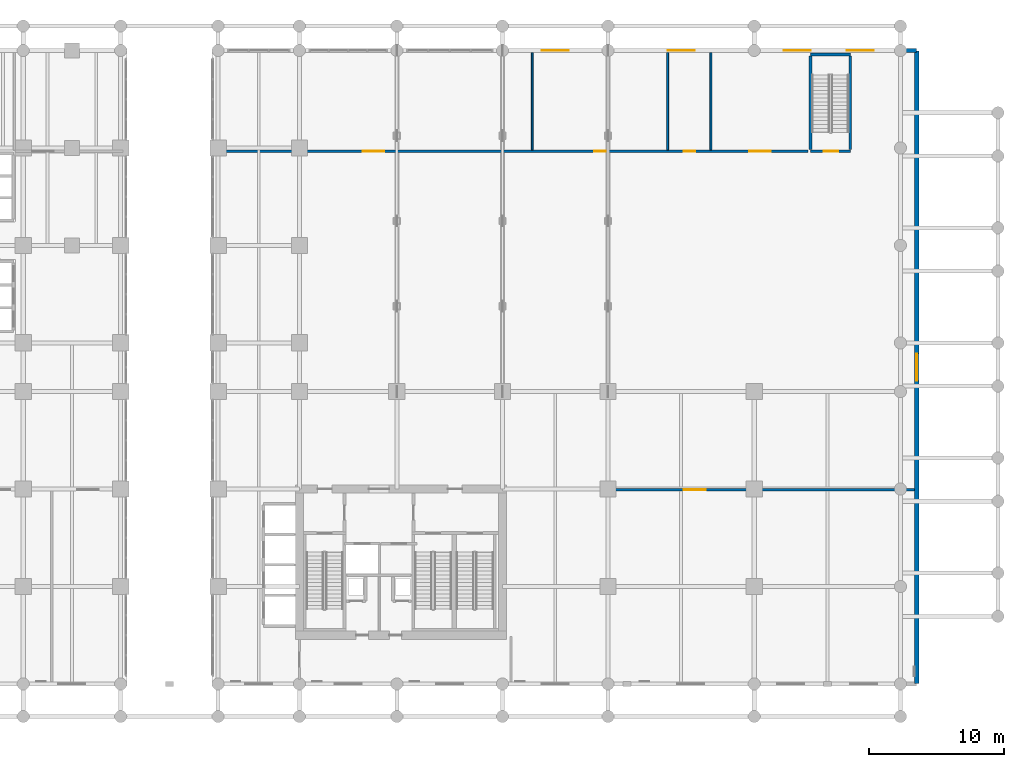
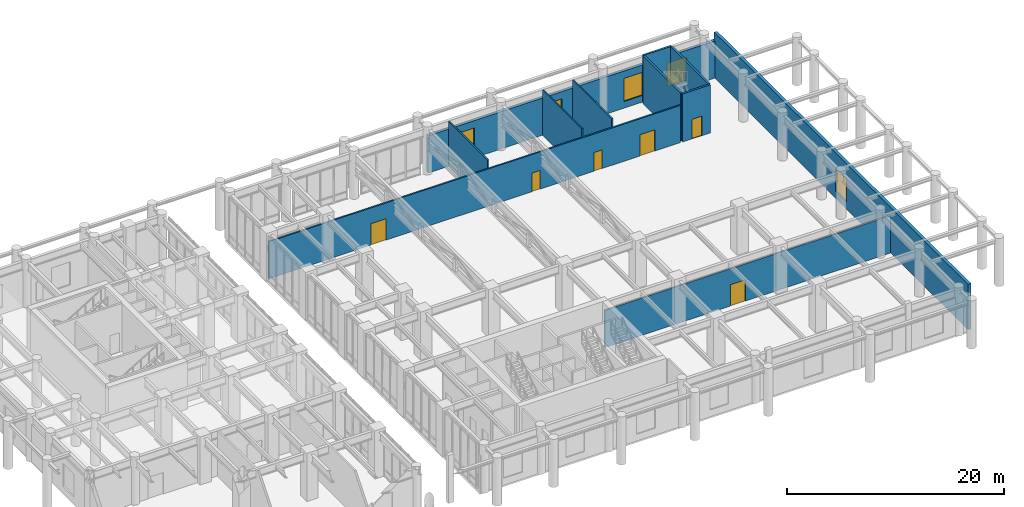
# One storey, part 19 of 24: 11 walls, 6 doors, 5 windows, 11 openings.
"""IFC4 building model written with IfcOpenShell, lengths in metres."""

import ifcopenshell
import ifcopenshell.guid

model = None  # the IFC model being written
_history = None  # IfcOwnerHistory: only IFC2X3 demands one
_inside = {}  # id of a spatial element -> (the spatial element, [elements in it])
_under = {}  # id of a project, library or spatial element -> (it, [spatial elements below it])
_declared = {}  # id of a project -> (the project, [libraries it declares])
_typed = {}  # id of a type object -> (the type object, [elements of that type])
_made_of = {}  # id of a material, layer set ... -> (it, [elements and type objects made of it])


def new_model(schema):
    """Start an empty IFC model of exactly this schema.

    Asked for "IFC4X3", IfcOpenShell would pick the latest addendum, in which some entities
    have other attributes; the version numbers below select the first issue.
    IFC2X3 requires an IfcOwnerHistory on every rooted entity: one is made here for all.
    """
    global model, _history
    if schema == "IFC4X3":
        model = ifcopenshell.file(schema_version=(4, 3, 0, 0))
    else:
        model = ifcopenshell.file(schema=schema)
    _inside.clear()
    _under.clear()
    _declared.clear()
    _typed.clear()
    _made_of.clear()
    _history = None
    if model.schema == "IFC2X3":
        org = make("IfcOrganization", Name="unknown")
        user = make(
            "IfcPersonAndOrganization",
            ThePerson=make("IfcPerson", FamilyName="unknown"),
            TheOrganization=org,
        )
        app = make(
            "IfcApplication",
            ApplicationDeveloper=org,
            Version="unknown",
            ApplicationFullName="unknown",
            ApplicationIdentifier="unknown",
        )
        _history = make(
            "IfcOwnerHistory",
            OwningUser=user,
            OwningApplication=app,
            ChangeAction="ADDED",
            CreationDate=0,
        )
    return model


def make(cls, **values):
    """One entity of the class cls with the attributes given. An attribute that is None is left unset."""
    return model.create_entity(
        cls, **{name: value for name, value in values.items() if value is not None}
    )


def rooted(cls, **values):
    """An entity with a GlobalId (a new one), such as an element, a storey or a relation."""
    return make(cls, GlobalId=ifcopenshell.guid.new(), OwnerHistory=_history, **values)


def si_unit(unit_type, name, prefix=None):
    """IfcSIUnit, for example si_unit("LENGTHUNIT", "METRE", prefix="MILLI")."""
    return make("IfcSIUnit", UnitType=unit_type, Prefix=prefix, Name=name)


def derived_unit(unit_type, elements):
    """IfcDerivedUnit: a product of units, each with its exponent."""
    return make(
        "IfcDerivedUnit",
        Elements=[
            make("IfcDerivedUnitElement", Unit=unit, Exponent=power)
            for unit, power in elements
        ],
        UnitType=unit_type,
    )


def assignment(units):
    """IfcUnitAssignment: the units of a project."""
    return None if units is None else make("IfcUnitAssignment", Units=units)


def point(xyz):
    """IfcCartesianPoint."""
    return None if xyz is None else make("IfcCartesianPoint", Coordinates=xyz)


def direction(xyz):
    """IfcDirection."""
    return None if xyz is None else make("IfcDirection", DirectionRatios=xyz)


def frame(location, z_axis=None, x_axis=None):
    """IfcAxis2Placement3D, a coordinate frame: its origin and axes. An axis left out is left unset."""
    return make(
        "IfcAxis2Placement3D",
        Location=point(location),
        Axis=direction(z_axis),
        RefDirection=direction(x_axis),
    )


def frame_2d(location, x_axis=None):
    """IfcAxis2Placement2D, a coordinate frame in the plane: its origin and x axis."""
    return make(
        "IfcAxis2Placement2D", Location=point(location), RefDirection=direction(x_axis)
    )


def origin():
    """The frame at (0, 0, 0) with its axes left unset."""
    return frame((0.0, 0.0, 0.0))


def place(relative_to, where):
    """IfcLocalPlacement: puts the frame where relative to a parent placement (None: the world)."""
    return make(
        "IfcLocalPlacement", PlacementRelTo=relative_to, RelativePlacement=where
    )


def context(
    kind, dimensions, precision=None, world=None, true_north=None, identifier=None
):
    """IfcGeometricRepresentationContext, for example the 3D "Model" context."""
    return make(
        "IfcGeometricRepresentationContext",
        ContextIdentifier=identifier,
        ContextType=kind,
        CoordinateSpaceDimension=dimensions,
        Precision=precision,
        WorldCoordinateSystem=world,
        TrueNorth=true_north,
    )


def subcontext(parent, identifier, kind, view, scale=None):
    """IfcGeometricRepresentationSubContext, for example "Body" below "Model"."""
    return make(
        "IfcGeometricRepresentationSubContext",
        ContextIdentifier=identifier,
        ContextType=kind,
        ParentContext=parent,
        TargetScale=scale,
        TargetView=view,
    )


def project(units=None, contexts=None):
    """IfcProject with its units and contexts."""
    return rooted(
        "IfcProject",
        Name="project",
        RepresentationContexts=contexts,
        UnitsInContext=assignment(units),
    )


def spatial(cls, under=None, at=None, **own):
    """A site, building, storey or space (cls), placed at a placement, below another one or the project."""
    s = rooted(cls, ObjectPlacement=at, **own)
    if under is not None:
        _under.setdefault(under.id(), (under, []))[1].append(s)
    return s


def profile(cls, at=None, kind="AREA", **sizes):
    """A parametric profile (cls). Its sizes go by their IFC names, for example OverallWidth=200.0."""
    return make(cls, ProfileType=kind, Position=at, **sizes)


def rectangle(**sizes):
    """IfcRectangleProfileDef."""
    return profile("IfcRectangleProfileDef", **sizes)


def extrude(swept, where, along, depth):
    """IfcExtrudedAreaSolid: the profile swept, set in the frame where, extruded along a direction by depth."""
    return make(
        "IfcExtrudedAreaSolid",
        SweptArea=swept,
        Position=where,
        ExtrudedDirection=direction(along),
        Depth=depth,
    )


def shape(context_of_items, identifier, shape_type, items):
    """IfcShapeRepresentation: the items that make up one representation, for example the "Body"."""
    return make(
        "IfcShapeRepresentation",
        ContextOfItems=context_of_items,
        RepresentationIdentifier=identifier,
        RepresentationType=shape_type,
        Items=items,
    )


def source(mapping_origin, context_of_items, identifier, shape_type, items):
    """IfcRepresentationMap: a shape defined once, which mapped items show again and again."""
    return make(
        "IfcRepresentationMap",
        MappingOrigin=mapping_origin,
        MappedRepresentation=shape(context_of_items, identifier, shape_type, items),
    )


def transform(
    local_origin,
    x_axis=None,
    y_axis=None,
    z_axis=None,
    scale=None,
    scale2=None,
    scale3=None,
    uniform=True,
):
    """IfcCartesianTransformationOperator3D, or its non-uniform kind. x_axis, y_axis, z_axis: its Axis1, 2, 3."""
    if uniform:
        return make(
            "IfcCartesianTransformationOperator3D",
            Axis1=direction(x_axis),
            Axis2=direction(y_axis),
            LocalOrigin=point(local_origin),
            Scale=scale,
            Axis3=direction(z_axis),
        )
    return make(
        "IfcCartesianTransformationOperator3DnonUniform",
        Axis1=direction(x_axis),
        Axis2=direction(y_axis),
        LocalOrigin=point(local_origin),
        Scale=scale,
        Axis3=direction(z_axis),
        Scale2=scale2,
        Scale3=scale3,
    )


def mapped(mapping_source, mapping_target):
    """IfcMappedItem: shows the shape of a source again, moved by a transform."""
    return make(
        "IfcMappedItem", MappingSource=mapping_source, MappingTarget=mapping_target
    )


def material(Name=None, Category=None):
    """IfcMaterial."""
    return make("IfcMaterial", Name=Name, Category=Category)


def layer(
    of_material, thickness, ventilated=None, Name=None, Category=None, Priority=None
):
    """IfcMaterialLayer: one layer of a wall or slab, of a material (None: an air gap)."""
    return make(
        "IfcMaterialLayer",
        Material=of_material,
        LayerThickness=thickness,
        IsVentilated=ventilated,
        Name=Name,
        Category=Category,
        Priority=Priority,
    )


def layer_set(layers, Name=None):
    """IfcMaterialLayerSet."""
    return make("IfcMaterialLayerSet", MaterialLayers=layers, LayerSetName=Name)


def made_of(thing, what):
    """Note that an element or type object is made of a material, layer set ...; save() writes the relation."""
    if what is not None:
        _made_of.setdefault(what.id(), (what, []))[1].append(thing)
    return thing


def type_object(cls, material=None, **own):
    """A type object (cls), such as IfcWallType, which elements share."""
    return made_of(rooted(cls, **own), material)


def type_shapes(of_type, sources):
    """Give a type object the sources (RepresentationMaps) that its elements show as mapped items."""
    of_type.RepresentationMaps = sources


def element(
    cls,
    number,
    at=None,
    inside=None,
    cuts=None,
    type_object=None,
    material=None,
    context=None,
    identifier="Body",
    shape_type=None,
    held_by="IfcProductDefinitionShape",
    body=None,
    shapes=None,
    **own,
):
    """One element of the class cls, such as IfcWall. Its Tag is "e" and its number.

    at: its placement. inside: the storey or other place that contains it. cuts: it is an
    opening in that element (IfcRelVoidsElement). A single representation is given by context,
    identifier, shape_type and body (its items); several are given by shapes. held_by: the class
    of the entity that holds the representations. save() writes the other relations.
    """
    e = rooted(cls, Tag="e%d" % number, ObjectPlacement=at, **own)
    if body is not None:
        shapes = [shape(context, identifier, shape_type, body)]
    if shapes is not None:
        e.Representation = make(held_by, Representations=shapes)
    if inside is not None:
        _inside.setdefault(inside.id(), (inside, []))[1].append(e)
    if cuts is not None:
        rooted(
            "IfcRelVoidsElement", RelatingBuildingElement=cuts, RelatedOpeningElement=e
        )
    if type_object is not None:
        _typed.setdefault(type_object.id(), (type_object, []))[1].append(e)
    return made_of(e, material)


def fill(opening, filler):
    """IfcRelFillsElement: the door or window that sits in an opening."""
    return rooted(
        "IfcRelFillsElement",
        RelatingOpeningElement=opening,
        RelatedBuildingElement=filler,
    )


def aggregate(whole, parts):
    """IfcRelAggregates: a whole, such as a stair, and the parts it consists of."""
    return rooted("IfcRelAggregates", RelatingObject=whole, RelatedObjects=parts)


def save(model, path):
    """Write the relations noted so far, then the file.

    IfcRelAggregates (storeys below a building ...), IfcRelContainedInSpatialStructure (elements
    in a storey), IfcRelDefinesByType, IfcRelAssociatesMaterial and IfcRelDeclares: one each for
    every whole, place, type object, material and project.
    """
    for whole, parts in _under.values():
        aggregate(whole, parts)
    for where, things in _inside.values():
        rooted(
            "IfcRelContainedInSpatialStructure",
            RelatedElements=things,
            RelatingStructure=where,
        )
    for kind, things in _typed.values():
        rooted("IfcRelDefinesByType", RelatedObjects=things, RelatingType=kind)
    for what, things in _made_of.values():
        rooted("IfcRelAssociatesMaterial", RelatedObjects=things, RelatingMaterial=what)
    for by, libraries in _declared.values():
        rooted("IfcRelDeclares", RelatingContext=by, RelatedDefinitions=libraries)
    model.write(path)


model = new_model("IFC4")

# Units and contexts
model_context = context("Model", 3, precision=1e-05, world=origin(), true_north=direction((0.0, 1.0)))
body_context = subcontext(model_context, "Body", "Model", "MODEL_VIEW")
ifc_project = project(units=[si_unit("LENGTHUNIT", "METRE"), si_unit("AREAUNIT", "SQUARE_METRE"), si_unit("VOLUMEUNIT", "CUBIC_METRE"), si_unit("PLANEANGLEUNIT", "RADIAN"), si_unit("MASSUNIT", "GRAM", prefix="KILO"), si_unit("THERMODYNAMICTEMPERATUREUNIT", "KELVIN"), si_unit("POWERUNIT", "WATT"), derived_unit("THERMALTRANSMITTANCEUNIT", [(si_unit("POWERUNIT", "WATT"), 1), (si_unit("AREAUNIT", "SQUARE_METRE"), -1), (si_unit("THERMODYNAMICTEMPERATUREUNIT", "KELVIN"), -1)])], contexts=[model_context])

# Site, building, storey
site_placement = place(None, origin())
site = spatial("IfcSite", under=ifc_project, at=site_placement, CompositionType="ELEMENT")
building_placement = place(site_placement, origin())
building = spatial("IfcBuilding", under=site, at=building_placement, Name="Zahravan Archway Hotel and Residences", CompositionType="ELEMENT")
storey_placement = place(building_placement, frame((0.0, 0.0, 10.800048828125)))
storey = spatial("IfcBuildingStorey", under=building, at=storey_placement, Name="L02", CompositionType="ELEMENT", Elevation=10.800048828125)

# Wall, opening, window
ifc_material_1 = material(Name="Agra Buff Sandstone & Insulated Backup", Category="masonry")
ifc_layer_1 = layer(ifc_material_1, 0.320068359375, Name="Agra Buff Sandstone & Insulated Backup", Category="masonry")
ifc_layer_set_1 = layer_set([ifc_layer_1], Name="Agra Buff Sandstone & Insulated Backup")
wall_type_1 = type_object("IfcWallType", Name="EW-SAND-320", PredefinedType="SOLIDWALL", material=ifc_layer_set_1)
wall_1_placement = place(storey_placement, frame((80.39990234375, 0.050048828125, 0.0), z_axis=(0.0, 0.0, 1.0), x_axis=(0.0, 1.0, 0.0)))
wall_1 = element("IfcWall", 1, at=wall_1_placement, inside=storey, type_object=wall_type_1, Name="L02 Podium Sandstone E Wall", PredefinedType="SOLIDWALL", context=body_context, shape_type="SweptSolid", body=[
    extrude(rectangle(XDim=46.699951171875, YDim=0.320068359375, at=frame_2d((23.35009765625, 0.0))), origin(), (0.0, 0.0, 1.0), 5.099853515625),
])
opening_1_placement = place(wall_1_placement, frame((22.35009765625, 0.0, 0.75)))
opening_1 = element("IfcOpeningElement", 2, at=opening_1_placement, cuts=wall_1, Name="Opening W-01", PredefinedType="OPENING", context=body_context, shape_type="SweptSolid", body=[
    extrude(rectangle(XDim=2.0, YDim=2.60009765625, at=frame_2d((1.0, 1.300048828125))), frame((0.0, 0.169921875, 0.0), z_axis=(0.0, -1.0, 0.0), x_axis=(1.0, 0.0, 0.0)), (0.0, 0.0, 1.0), 0.340087890625),
])
ifc_material_2 = material(Name="Bronze-Anodized Thermal-Break Aluminium & Low-E Glass", Category="aluminium")
window_type = type_object("IfcWindowType", Name="WIN-ARC-2000", PartitioningType="DOUBLE_PANEL_VERTICAL", PredefinedType="WINDOW", material=ifc_material_2)
shared_shape_1 = source(origin(), body_context, "Body", "SweptSolid", [
    extrude(rectangle(XDim=2.0, YDim=2.60009765625, at=frame_2d((1.0, 1.300048828125))), frame((0.0, 0.030029296875, 0.0), z_axis=(0.0, -1.0, 0.0), x_axis=(1.0, 0.0, 0.0)), (0.0, 0.0, 1.0), 0.06005859375),
])
type_shapes(window_type, [shared_shape_1])
window_1_placement = place(opening_1_placement, origin())
window_1 = element("IfcWindow", 3, at=window_1_placement, inside=storey, type_object=window_type, Name="L02 Podium Mughal Arch Window 12", OverallHeight=2.60009765625, OverallWidth=2.0, PartitioningType="DOUBLE_PANEL_VERTICAL", PredefinedType="WINDOW", context=body_context, shape_type="MappedRepresentation", body=[
    mapped(shared_shape_1, transform((0.0, 0.0, 0.0), scale=1.0)),
])
fill(opening_1, window_1)

# Wall, openings, windows
wall_2_placement = place(storey_placement, frame((49.800048828125, 46.800048828125, 0.0), z_axis=(0.0, 0.0, 1.0), x_axis=(1.0, 0.0, 0.0)))
wall_2 = element("IfcWall", 4, at=wall_2_placement, inside=storey, type_object=wall_type_1, Name="L02 Podium Sandstone NE Wall", PredefinedType="SOLIDWALL", context=body_context, shape_type="SweptSolid", body=[
    extrude(rectangle(XDim=30.599853515625, YDim=0.320068359375, at=frame_2d((15.2998046875, 0.0))), origin(), (0.0, 0.0, 1.0), 4.18505859375),
])
opening_2_placement = place(wall_2_placement, frame((2.89990234375, 0.0, 0.75)))
opening_2 = element("IfcOpeningElement", 5, at=opening_2_placement, cuts=wall_2, Name="Opening W-01", PredefinedType="OPENING", context=body_context, shape_type="SweptSolid", body=[
    extrude(rectangle(XDim=2.0, YDim=2.60009765625, at=frame_2d((1.0, 1.300048828125))), frame((0.0, 0.169921875, 0.0), z_axis=(0.0, -1.0, 0.0), x_axis=(1.0, 0.0, 0.0)), (0.0, 0.0, 1.0), 0.340087890625),
])
opening_3_placement = place(wall_2_placement, frame((12.199951171875, 0.0, 0.75)))
opening_3 = element("IfcOpeningElement", 6, at=opening_3_placement, cuts=wall_2, Name="Opening W-01", PredefinedType="OPENING", context=body_context, shape_type="SweptSolid", body=[
    extrude(rectangle(XDim=2.0, YDim=2.60009765625, at=frame_2d((1.0, 1.300048828125))), frame((0.0, 0.169921875, 0.0), z_axis=(0.0, -1.0, 0.0), x_axis=(1.0, 0.0, 0.0)), (0.0, 0.0, 1.0), 0.340087890625),
])
opening_4_placement = place(wall_2_placement, frame((20.784912109375, 0.0, 0.75)))
opening_4 = element("IfcOpeningElement", 7, at=opening_4_placement, cuts=wall_2, Name="Opening W-01", PredefinedType="OPENING", context=body_context, shape_type="SweptSolid", body=[
    extrude(rectangle(XDim=2.0, YDim=2.60009765625, at=frame_2d((1.0, 1.300048828125))), frame((0.0, 0.169921875, 0.0), z_axis=(0.0, -1.0, 0.0), x_axis=(1.0, 0.0, 0.0)), (0.0, 0.0, 1.0), 0.340087890625),
])
opening_5_placement = place(wall_2_placement, frame((25.445068359375, 0.0, 0.75)))
opening_5 = element("IfcOpeningElement", 8, at=opening_5_placement, cuts=wall_2, Name="Opening W-01", PredefinedType="OPENING", context=body_context, shape_type="SweptSolid", body=[
    extrude(rectangle(XDim=2.0, YDim=2.60009765625, at=frame_2d((1.0, 1.300048828125))), frame((0.0, 0.169921875, 0.0), z_axis=(0.0, -1.0, 0.0), x_axis=(1.0, 0.0, 0.0)), (0.0, 0.0, 1.0), 0.340087890625),
])
window_2_placement = place(opening_2_placement, origin())
window_2 = element("IfcWindow", 9, at=window_2_placement, inside=storey, type_object=window_type, Name="L02 Podium Mughal Arch Window 16", OverallHeight=2.60009765625, OverallWidth=2.0, PartitioningType="DOUBLE_PANEL_VERTICAL", PredefinedType="WINDOW", context=body_context, shape_type="MappedRepresentation", body=[
    mapped(shared_shape_1, transform((0.0, 0.0, 0.0), scale=1.0)),
])
fill(opening_2, window_2)
window_3_placement = place(opening_3_placement, origin())
window_3 = element("IfcWindow", 10, at=window_3_placement, inside=storey, type_object=window_type, Name="L02 Podium Mughal Arch Window 17", OverallHeight=2.60009765625, OverallWidth=2.0, PartitioningType="DOUBLE_PANEL_VERTICAL", PredefinedType="WINDOW", context=body_context, shape_type="MappedRepresentation", body=[
    mapped(shared_shape_1, transform((0.0, 0.0, 0.0), scale=1.0)),
])
fill(opening_3, window_3)
window_4_placement = place(opening_4_placement, origin())
window_4 = element("IfcWindow", 11, at=window_4_placement, inside=storey, type_object=window_type, Name="L02 Podium Mughal Arch Window 18", OverallHeight=2.60009765625, OverallWidth=2.0, PartitioningType="DOUBLE_PANEL_VERTICAL", PredefinedType="WINDOW", context=body_context, shape_type="MappedRepresentation", body=[
    mapped(shared_shape_1, transform((0.0, 0.0, 0.0), scale=1.0)),
])
fill(opening_4, window_4)
window_5_placement = place(opening_5_placement, origin())
window_5 = element("IfcWindow", 12, at=window_5_placement, inside=storey, type_object=window_type, Name="L02 Podium Mughal Arch Window 19", OverallHeight=2.60009765625, OverallWidth=2.0, PartitioningType="DOUBLE_PANEL_VERTICAL", PredefinedType="WINDOW", context=body_context, shape_type="MappedRepresentation", body=[
    mapped(shared_shape_1, transform((0.0, 0.0, 0.0), scale=1.0)),
])
fill(opening_5, window_5)

# Wall, opening, door
ifc_material_3 = material(Name="Fire-Rated Gypsum & Concrete Block", Category="concrete")
ifc_layer_2 = layer(ifc_material_3, 0.159912109375, Name="Fire-Rated Gypsum & Concrete Block", Category="concrete")
ifc_layer_set_2 = layer_set([ifc_layer_2], Name="Fire-Rated Gypsum & Concrete Block")
wall_type_2 = type_object("IfcWallType", Name="PW-CORR-160", PredefinedType="PARTITIONING", material=ifc_layer_set_2)
wall_3_placement = place(storey_placement, frame((49.889892578125, 14.35009765625, 0.0), z_axis=(0.0, 0.0, 1.0), x_axis=(1.0, 0.0, 0.0)))
wall_3 = element("IfcWall", 13, at=wall_3_placement, inside=storey, type_object=wall_type_2, Name="L02 Partition L02-GSE", PredefinedType="PARTITIONING", context=body_context, shape_type="SweptSolid", body=[
    extrude(rectangle(XDim=30.342041015625, YDim=0.159912109375, at=frame_2d((15.1708984375, 0.0))), origin(), (0.0, 0.0, 1.0), 4.18505859375),
])
opening_6_placement = place(wall_3_placement, frame((13.31005859375, 0.0, 0.0)))
opening_6 = element("IfcOpeningElement", 14, at=opening_6_placement, cuts=wall_3, Name="Opening D-P2", PredefinedType="OPENING", context=body_context, shape_type="SweptSolid", body=[
    extrude(rectangle(XDim=1.60009765625, YDim=2.39990234375, at=frame_2d((0.800048828125, 1.199951171875))), frame((0.0, 0.08984375, 0.0), z_axis=(0.0, -1.0, 0.0), x_axis=(1.0, 0.0, 0.0)), (0.0, 0.0, 1.0), 0.179931640625),
])
ifc_material_4 = material(Name="Bronze-Anodized Glazed Aluminium", Category="aluminium")
door_type_1 = type_object("IfcDoorType", Name="ID-PUBLIC-1600", OperationType="DOUBLE_DOOR_SINGLE_SWING", PredefinedType="DOOR", material=ifc_material_4)
shared_shape_2 = source(origin(), body_context, "Body", "SweptSolid", [
    extrude(rectangle(XDim=1.60009765625, YDim=2.39990234375, at=frame_2d((0.800048828125, 1.199951171875))), frame((0.0, 0.02490234375, 0.0), z_axis=(0.0, -1.0, 0.0), x_axis=(1.0, 0.0, 0.0)), (0.0, 0.0, 1.0), 0.050048828125),
])
type_shapes(door_type_1, [shared_shape_2])
door_1_placement = place(opening_6_placement, origin())
door_1 = element("IfcDoor", 15, at=door_1_placement, inside=storey, type_object=door_type_1, Name="L02 Private Banquet Suites Door", OperationType="DOUBLE_DOOR_SINGLE_SWING", OverallHeight=2.39990234375, OverallWidth=1.60009765625, PredefinedType="DOOR", context=body_context, shape_type="MappedRepresentation", body=[
    mapped(shared_shape_2, transform((0.0, 0.0, 0.0), scale=1.0)),
])
fill(opening_6, door_1)

# Wall, openings, doors
wall_4_placement = place(storey_placement, frame((28.639892578125, 39.35009765625, 0.0), z_axis=(0.0, 0.0, 1.0), x_axis=(1.0, 0.0, 0.0)))
wall_4 = element("IfcWall", 16, at=wall_4_placement, inside=storey, type_object=wall_type_2, Name="L02 Partition L02-GN", PredefinedType="PARTITIONING", context=body_context, shape_type="SweptSolid", body=[
    extrude(rectangle(XDim=43.72021484375, YDim=0.159912109375, at=frame_2d((21.860107421875, 0.0))), origin(), (0.0, 0.0, 1.0), 4.18505859375),
])
opening_7_placement = place(wall_4_placement, frame((10.8349609375, 0.0, 0.0)))
opening_7 = element("IfcOpeningElement", 17, at=opening_7_placement, cuts=wall_4, Name="Opening D-P2", PredefinedType="OPENING", context=body_context, shape_type="SweptSolid", body=[
    extrude(rectangle(XDim=1.60009765625, YDim=2.39990234375, at=frame_2d((0.800048828125, 1.199951171875))), frame((0.0, 0.08984375, 0.0), z_axis=(0.0, -1.0, 0.0), x_axis=(1.0, 0.0, 0.0)), (0.0, 0.0, 1.0), 0.179931640625),
])
opening_8_placement = place(wall_4_placement, frame((27.93505859375, 0.0, 0.0)))
opening_8 = element("IfcOpeningElement", 18, at=opening_8_placement, cuts=wall_4, Name="Opening D-B1", PredefinedType="OPENING", context=body_context, shape_type="SweptSolid", body=[
    extrude(rectangle(XDim=0.85009765625, YDim=2.10009765625, at=frame_2d((0.425048828125, 1.050048828125))), frame((0.0, 0.08984375, 0.0), z_axis=(0.0, -1.0, 0.0), x_axis=(1.0, 0.0, 0.0)), (0.0, 0.0, 1.0), 0.179931640625),
])
opening_9_placement = place(wall_4_placement, frame((34.534912109375, 0.0, 0.0)))
opening_9 = element("IfcOpeningElement", 19, at=opening_9_placement, cuts=wall_4, Name="Opening D-B1", PredefinedType="OPENING", context=body_context, shape_type="SweptSolid", body=[
    extrude(rectangle(XDim=0.85009765625, YDim=2.10009765625, at=frame_2d((0.425048828125, 1.050048828125))), frame((0.0, 0.08984375, 0.0), z_axis=(0.0, -1.0, 0.0), x_axis=(1.0, 0.0, 0.0)), (0.0, 0.0, 1.0), 0.179931640625),
])
opening_10_placement = place(wall_4_placement, frame((39.385009765625, 0.0, 0.0)))
opening_10 = element("IfcOpeningElement", 20, at=opening_10_placement, cuts=wall_4, Name="Opening D-P2", PredefinedType="OPENING", context=body_context, shape_type="SweptSolid", body=[
    extrude(rectangle(XDim=1.60009765625, YDim=2.39990234375, at=frame_2d((0.800048828125, 1.199951171875))), frame((0.0, 0.08984375, 0.0), z_axis=(0.0, -1.0, 0.0), x_axis=(1.0, 0.0, 0.0)), (0.0, 0.0, 1.0), 0.179931640625),
])
door_2_placement = place(opening_7_placement, origin())
door_2 = element("IfcDoor", 21, at=door_2_placement, inside=storey, type_object=door_type_1, Name="L02 Saffron Tea Lounge Door", OperationType="DOUBLE_DOOR_SINGLE_SWING", OverallHeight=2.39990234375, OverallWidth=1.60009765625, PredefinedType="DOOR", context=body_context, shape_type="MappedRepresentation", body=[
    mapped(shared_shape_2, transform((0.0, 0.0, 0.0), scale=1.0)),
])
fill(opening_7, door_2)
door_3_placement = place(opening_10_placement, origin())
door_3 = element("IfcDoor", 22, at=door_3_placement, inside=storey, type_object=door_type_1, Name="L02 Dining Coat & Lounge Room Door", OperationType="DOUBLE_DOOR_SINGLE_SWING", OverallHeight=2.39990234375, OverallWidth=1.60009765625, PredefinedType="DOOR", context=body_context, shape_type="MappedRepresentation", body=[
    mapped(shared_shape_2, transform((0.0, 0.0, 0.0), scale=1.0)),
])
fill(opening_10, door_3)
ifc_material_5 = material(Name="Hardwood Veneer Timber", Category="wood")
door_type_2 = type_object("IfcDoorType", Name="ID-BATH-850", OperationType="NOTDEFINED", PredefinedType="DOOR", material=ifc_material_5)
shared_shape_3 = source(origin(), body_context, "Body", "SweptSolid", [
    extrude(rectangle(XDim=0.85009765625, YDim=2.10009765625, at=frame_2d((0.425048828125, 1.050048828125))), frame((0.0, 0.02490234375, 0.0), z_axis=(0.0, -1.0, 0.0), x_axis=(1.0, 0.0, 0.0)), (0.0, 0.0, 1.0), 0.050048828125),
])
type_shapes(door_type_2, [shared_shape_3])
door_4_placement = place(opening_8_placement, origin())
door_4 = element("IfcDoor", 23, at=door_4_placement, inside=storey, type_object=door_type_2, Name="L02 Dining Public Restrooms Door", OperationType="SINGLE_SWING_RIGHT", OverallHeight=2.10009765625, OverallWidth=0.85009765625, PredefinedType="DOOR", context=body_context, shape_type="MappedRepresentation", body=[
    mapped(shared_shape_3, transform((0.0, 0.0, 0.0), scale=1.0)),
])
fill(opening_8, door_4)
door_5_placement = place(opening_9_placement, origin())
door_5 = element("IfcDoor", 24, at=door_5_placement, inside=storey, type_object=door_type_2, Name="L02 Accessible Restroom Door", OperationType="SINGLE_SWING_LEFT", OverallHeight=2.10009765625, OverallWidth=0.85009765625, PredefinedType="DOOR", context=body_context, shape_type="MappedRepresentation", body=[
    mapped(shared_shape_3, transform((0.0, 0.0, 0.0), scale=1.0)),
])
fill(opening_9, door_5)

# Walls
ifc_material_6 = material(Name="Moisture-Resistant Blockwork", Category="masonry")
ifc_layer_3 = layer(ifc_material_6, 0.139892578125, Name="Moisture-Resistant Blockwork", Category="masonry")
ifc_layer_set_3 = layer_set([ifc_layer_3], Name="Moisture-Resistant Blockwork")
wall_type_3 = type_object("IfcWallType", Name="PW-WET-140", PredefinedType="PARTITIONING", material=ifc_layer_set_3)
for number, where, z_axis, x_axis, name in (
    (25, (52.0, 39.43994140625, 0.0), (0.0, 0.0, 1.0), (0.0, 1.0, 0.0), "L02 Partition L02-NV2"),
    (26, (62.0, 39.43994140625, 0.0), (0.0, 0.0, 1.0), (0.0, 1.0, 0.0), "L02 Partition L02-NV3"),
    (27, (65.199951171875, 39.43994140625, 0.0), (0.0, 0.0, 1.0), (0.0, 1.0, 0.0), "L02 Partition L02-NV4"),
):
    element("IfcWall", number, at=place(storey_placement, frame(where, z_axis=z_axis, x_axis=x_axis)), inside=storey, type_object=wall_type_3, Name=name, PredefinedType="PARTITIONING", context=body_context, shape_type="SweptSolid", body=[
        extrude(rectangle(XDim=7.192138671875, YDim=0.139892578125, at=frame_2d((3.59619140625, 0.0))), origin(), (0.0, 0.0, 1.0), 5.099853515625),
    ])
ifc_material_7 = material(Name="Concrete C50/60", Category="concrete")
ifc_layer_4 = layer(ifc_material_7, 0.199951171875, Name="Concrete C50/60", Category="concrete")
ifc_layer_set_4 = layer_set([ifc_layer_4], Name="Concrete C50/60")
wall_type_4 = type_object("IfcWallType", Name="SW-STAIR-200", PredefinedType="SHEAR", material=ifc_layer_set_4)
for number, where, z_axis, x_axis, name in (
    (28, (72.56005859375, 39.469970703125, 0.0), (0.0, 0.0, 1.0), (0.0, 1.0, 0.0), "L02 Stairwell RC Wall SP1-W"),
    (29, (75.5, 39.469970703125, 0.0), (0.0, 0.0, 1.0), (0.0, 1.0, 0.0), "L02 Stairwell RC Wall SP1-E"),
):
    element("IfcWall", number, at=place(storey_placement, frame(where, z_axis=z_axis, x_axis=x_axis)), inside=storey, type_object=wall_type_4, Name=name, PredefinedType="SHEAR", context=body_context, shape_type="SweptSolid", body=[
        extrude(rectangle(XDim=6.909912109375, YDim=0.199951171875, at=frame_2d((3.455078125, 0.0))), origin(), (0.0, 0.0, 1.0), 5.39990234375),
    ])
wall_5_placement = place(storey_placement, frame((72.56005859375, 46.5, 0.0), z_axis=(0.0, 0.0, 1.0), x_axis=(1.0, 0.0, 0.0)))
element("IfcWall", 30, at=wall_5_placement, inside=storey, type_object=wall_type_4, Name="L02 Stairwell RC Wall SP1-N", PredefinedType="SHEAR", context=body_context, shape_type="SweptSolid", body=[
    extrude(rectangle(XDim=2.93994140625, YDim=0.199951171875, at=frame_2d((1.469970703125, 0.0))), origin(), (0.0, 0.0, 1.0), 5.39990234375),
])

# Wall, opening, door
wall_6_placement = place(storey_placement, frame((72.56005859375, 39.35009765625, 0.0), z_axis=(0.0, 0.0, 1.0), x_axis=(1.0, 0.0, 0.0)))
wall_6 = element("IfcWall", 31, at=wall_6_placement, inside=storey, type_object=wall_type_4, Name="L02 Stairwell RC Wall SP1-S", PredefinedType="SHEAR", context=body_context, shape_type="SweptSolid", body=[
    extrude(rectangle(XDim=2.93994140625, YDim=0.199951171875, at=frame_2d((1.469970703125, 0.0))), origin(), (0.0, 0.0, 1.0), 5.39990234375),
])
opening_11_placement = place(wall_6_placement, frame((0.985107421875, 0.0, 0.0)))
opening_11 = element("IfcOpeningElement", 32, at=opening_11_placement, cuts=wall_6, Name="Opening FD-S1", PredefinedType="OPENING", context=body_context, shape_type="SweptSolid", body=[
    extrude(rectangle(XDim=1.050048828125, YDim=2.199951171875, at=frame_2d((0.52490234375, 1.10009765625))), frame((0.0, 0.10986328125, 0.0), z_axis=(0.0, -1.0, 0.0), x_axis=(1.0, 0.0, 0.0)), (0.0, 0.0, 1.0), 0.219970703125),
])
ifc_material_8 = material(Name="Fire-Rated Painted Steel", Category="steel")
door_type_3 = type_object("IfcDoorType", Name="FD-STAIR-1100", OperationType="NOTDEFINED", PredefinedType="DOOR", material=ifc_material_8)
shared_shape_4 = source(origin(), body_context, "Body", "SweptSolid", [
    extrude(rectangle(XDim=1.050048828125, YDim=2.199951171875, at=frame_2d((0.52490234375, 1.10009765625))), frame((0.0, 0.02490234375, 0.0), z_axis=(0.0, -1.0, 0.0), x_axis=(1.0, 0.0, 0.0)), (0.0, 0.0, 1.0), 0.050048828125),
])
type_shapes(door_type_3, [shared_shape_4])
door_6_placement = place(opening_11_placement, origin())
door_6 = element("IfcDoor", 33, at=door_6_placement, inside=storey, type_object=door_type_3, Name="L02 Stair ST-P1 Door", OperationType="SINGLE_SWING_RIGHT", OverallHeight=2.199951171875, OverallWidth=1.050048828125, PredefinedType="DOOR", context=body_context, shape_type="MappedRepresentation", body=[
    mapped(shared_shape_4, transform((0.0, 0.0, 0.0), scale=1.0)),
])
fill(opening_11, door_6)

save(model, "model.ifc")
